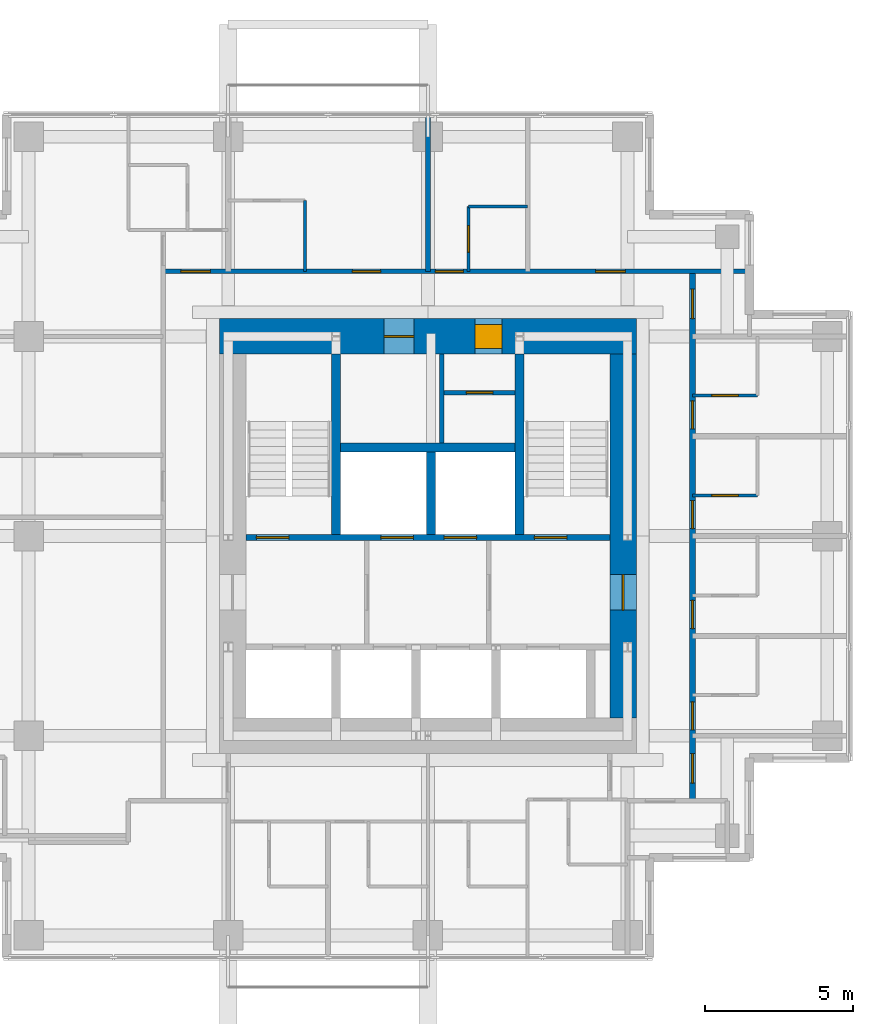
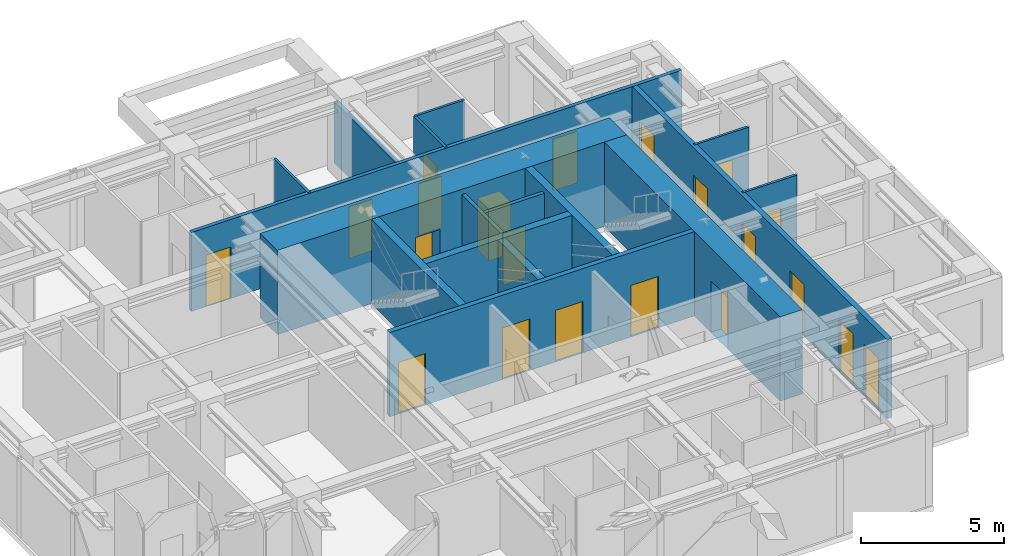
# One storey, part 6 of 8: 21 doors, 17 walls, 21 openings.
"""IFC4 building model written with IfcOpenShell, lengths in metres."""

from ifc_helpers import new_model, si_unit, direction, frame, frame_2d, origin, place, context, subcontext, project, spatial, rectangle, extrude, material, layer, layer_set, type_object, element, fill, save


model = new_model("IFC4")

# Units and contexts
model_context = context("Model", 3, precision=1e-05, world=origin(), true_north=direction((0.0, 1.0)))
body_context = subcontext(model_context, "Body", "Model", "MODEL_VIEW")
ifc_project = project(units=[si_unit("LENGTHUNIT", "METRE"), si_unit("AREAUNIT", "SQUARE_METRE"), si_unit("VOLUMEUNIT", "CUBIC_METRE"), si_unit("PLANEANGLEUNIT", "RADIAN"), si_unit("MASSUNIT", "GRAM", prefix="KILO")], contexts=[model_context])

# Site, building, storey
site_placement = place(None, origin())
site = spatial("IfcSite", under=ifc_project, at=site_placement, CompositionType="ELEMENT")
building_placement = place(site_placement, origin())
building = spatial("IfcBuilding", under=site, at=building_placement, Name="Nyansa Garden Tower", CompositionType="ELEMENT")
storey_placement = place(building_placement, frame((0.0, 0.0, 243.89990234375)))
storey = spatial("IfcBuildingStorey", under=building, at=storey_placement, Name="L66", CompositionType="ELEMENT", Elevation=243.89990234375)

# Wall
ifc_material_1 = material(Name="Dense blockwork, plastered both sides, 55 dB", Category="masonry")
ifc_layer_1 = layer(ifc_material_1, 0.175048828125)
ifc_layer_set_1 = layer_set([ifc_layer_1], Name="Acoustic party wall PW175")
wall_type_1 = type_object("IfcWallType", Name="Acoustic party wall PW175", PredefinedType="PARTITIONING", material=ifc_layer_set_1)
wall_1_placement = place(storey_placement, frame((20.25, 29.199951171875, 0.0), z_axis=(0.0, 0.0, 1.0), x_axis=(0.0, 1.0, 0.0)))
element("IfcWall", 1, at=wall_1_placement, inside=storey, type_object=wall_type_1, Name="Party wall", PredefinedType="PARTITIONING", context=body_context, shape_type="SweptSolid", body=[
    extrude(rectangle(XDim=5.283935546875, YDim=0.175048828125, at=frame_2d((2.64208984375, 0.0))), origin(), (0.0, 0.0, 1.0), 2.610107421875),
])

# Wall, openings, doors
ifc_material_2 = material(Name="Concrete C70/85", Category="concrete")
ifc_layer_2 = layer(ifc_material_2, 0.199951171875)
ifc_layer_set_2 = layer_set([ifc_layer_2], Name="Core inner wall CI200")
wall_type_2 = type_object("IfcWallType", Name="Core inner wall CI200", PredefinedType="SHEAR", material=ifc_layer_set_2)
wall_2_placement = place(storey_placement, frame((14.10009765625, 20.199951171875, 0.0), z_axis=(0.0, 0.0, 1.0), x_axis=(1.0, 0.0, 0.0)))
wall_2 = element("IfcWall", 2, at=wall_2_placement, inside=storey, type_object=wall_type_2, Name="Core inner wall L66", PredefinedType="SHEAR", context=body_context, shape_type="SweptSolid", body=[
    extrude(rectangle(XDim=12.2998046875, YDim=0.199951171875, at=frame_2d((6.14990234375, 0.0))), origin(), (0.0, 0.0, 1.0), 3.60009765625),
])
opening_1_placement = place(wall_2_placement, frame((4.56005859375, 0.0, 0.0)))
opening_1 = element("IfcOpeningElement", 3, at=opening_1_placement, cuts=wall_2, Name="Opening LD-B", PredefinedType="OPENING", context=body_context, shape_type="SweptSolid", body=[
    extrude(rectangle(XDim=1.10009765625, YDim=2.199951171875, at=frame_2d((0.550048828125, 1.10009765625))), frame((0.0, 0.10986328125, 0.0), z_axis=(0.0, -1.0, 0.0), x_axis=(1.0, 0.0, 0.0)), (0.0, 0.0, 1.0), 0.219970703125),
])
opening_2_placement = place(wall_2_placement, frame((6.699951171875, 0.0, 0.0)))
opening_2 = element("IfcOpeningElement", 4, at=opening_2_placement, cuts=wall_2, Name="Opening LD-B", PredefinedType="OPENING", context=body_context, shape_type="SweptSolid", body=[
    extrude(rectangle(XDim=1.10009765625, YDim=2.199951171875, at=frame_2d((0.550048828125, 1.10009765625))), frame((0.0, 0.10986328125, 0.0), z_axis=(0.0, -1.0, 0.0), x_axis=(1.0, 0.0, 0.0)), (0.0, 0.0, 1.0), 0.219970703125),
])
opening_3_placement = place(wall_2_placement, frame((0.35009765625, 0.0, 0.0)))
opening_3 = element("IfcOpeningElement", 5, at=opening_3_placement, cuts=wall_2, Name="Opening D05", PredefinedType="OPENING", context=body_context, shape_type="SweptSolid", body=[
    extrude(rectangle(XDim=1.10009765625, YDim=2.199951171875, at=frame_2d((0.550048828125, 1.10009765625))), frame((0.0, 0.10986328125, 0.0), z_axis=(0.0, -1.0, 0.0), x_axis=(1.0, 0.0, 0.0)), (0.0, 0.0, 1.0), 0.219970703125),
])
opening_4_placement = place(wall_2_placement, frame((9.75, 0.0, 0.0)))
opening_4 = element("IfcOpeningElement", 6, at=opening_4_placement, cuts=wall_2, Name="Opening D05", PredefinedType="OPENING", context=body_context, shape_type="SweptSolid", body=[
    extrude(rectangle(XDim=1.10009765625, YDim=2.199951171875, at=frame_2d((0.550048828125, 1.10009765625))), frame((0.0, 0.10986328125, 0.0), z_axis=(0.0, -1.0, 0.0), x_axis=(1.0, 0.0, 0.0)), (0.0, 0.0, 1.0), 0.219970703125),
])
ifc_material_3 = material(Name="Stainless steel centre-opening landing door of the high-rise lift, E 120", Category="steel")
door_type_1 = type_object("IfcDoorType", Name="Lift landing door LD-B 1100x2200", OperationType="DOUBLE_DOOR_SLIDING", PredefinedType="DOOR", material=ifc_material_3)
door_1_placement = place(opening_1_placement, origin())
door_1 = element("IfcDoor", 7, at=door_1_placement, inside=storey, type_object=door_type_1, Name="Landing door B3", OperationType="DOUBLE_DOOR_SLIDING", OverallHeight=2.199951171875, OverallWidth=1.10009765625, PredefinedType="DOOR", context=body_context, shape_type="SweptSolid", body=[
    extrude(rectangle(XDim=1.10009765625, YDim=2.199951171875, at=frame_2d((0.550048828125, 1.10009765625))), frame((0.0, 0.02490234375, 0.0), z_axis=(0.0, -1.0, 0.0), x_axis=(1.0, 0.0, 0.0)), (0.0, 0.0, 1.0), 0.050048828125),
])
fill(opening_1, door_1)
door_2_placement = place(opening_2_placement, origin())
door_2 = element("IfcDoor", 8, at=door_2_placement, inside=storey, type_object=door_type_1, Name="Landing door B4", OperationType="DOUBLE_DOOR_SLIDING", OverallHeight=2.199951171875, OverallWidth=1.10009765625, PredefinedType="DOOR", context=body_context, shape_type="SweptSolid", body=[
    extrude(rectangle(XDim=1.10009765625, YDim=2.199951171875, at=frame_2d((0.550048828125, 1.10009765625))), frame((0.0, 0.02490234375, 0.0), z_axis=(0.0, -1.0, 0.0), x_axis=(1.0, 0.0, 0.0)), (0.0, 0.0, 1.0), 0.050048828125),
])
fill(opening_2, door_2)
ifc_material_4 = material(Name="Steel door, 120 minute fire resisting", Category="steel")
door_type_2 = type_object("IfcDoorType", Name="Stair door D05 1100x2200", OperationType="SINGLE_SWING_LEFT", PredefinedType="DOOR", material=ifc_material_4)
door_3_placement = place(opening_3_placement, origin())
door_3 = element("IfcDoor", 9, at=door_3_placement, inside=storey, type_object=door_type_2, Name="Stair S1 door", OperationType="SINGLE_SWING_LEFT", OverallHeight=2.199951171875, OverallWidth=1.10009765625, PredefinedType="DOOR", context=body_context, shape_type="SweptSolid", body=[
    extrude(rectangle(XDim=1.10009765625, YDim=2.199951171875, at=frame_2d((0.550048828125, 1.10009765625))), frame((0.0, 0.02490234375, 0.0), z_axis=(0.0, -1.0, 0.0), x_axis=(1.0, 0.0, 0.0)), (0.0, 0.0, 1.0), 0.050048828125),
])
fill(opening_3, door_3)
door_4_placement = place(opening_4_placement, origin())
door_4 = element("IfcDoor", 10, at=door_4_placement, inside=storey, type_object=door_type_2, Name="Stair S2 door", OperationType="SINGLE_SWING_LEFT", OverallHeight=2.199951171875, OverallWidth=1.10009765625, PredefinedType="DOOR", context=body_context, shape_type="SweptSolid", body=[
    extrude(rectangle(XDim=1.10009765625, YDim=2.199951171875, at=frame_2d((0.550048828125, 1.10009765625))), frame((0.0, 0.02490234375, 0.0), z_axis=(0.0, -1.0, 0.0), x_axis=(1.0, 0.0, 0.0)), (0.0, 0.0, 1.0), 0.050048828125),
])
fill(opening_4, door_4)

# Walls
ifc_material_5 = material(Name="Concrete C70/85", Category="concrete")
ifc_layer_3 = layer(ifc_material_5, 0.300048828125)
ifc_layer_set_3 = layer_set([ifc_layer_3], Name="Core inner wall CI300")
wall_type_3 = type_object("IfcWallType", Name="Core inner wall CI300", PredefinedType="SHEAR", material=ifc_layer_set_3)
for number, where, z_axis, x_axis, name in (
    (11, (17.14990234375, 20.300048828125, 0.0), (0.0, 0.0, 1.0), (0.0, 1.0, 0.0), "Core inner wall L66"),
    (12, (23.35009765625, 20.300048828125, 0.0), (0.0, 0.0, 1.0), (0.0, 1.0, 0.0), "Core inner wall L66"),
):
    element("IfcWall", number, at=place(storey_placement, frame(where, z_axis=z_axis, x_axis=x_axis)), inside=storey, type_object=wall_type_3, Name=name, PredefinedType="SHEAR", context=body_context, shape_type="SweptSolid", body=[
        extrude(rectangle(XDim=6.099853515625, YDim=0.300048828125, at=frame_2d((3.0498046875, 0.0))), origin(), (0.0, 0.0, 1.0), 3.60009765625),
    ])
wall_3_placement = place(storey_placement, frame((20.35009765625, 20.300048828125, 0.0), z_axis=(0.0, 0.0, 1.0), x_axis=(0.0, 1.0, 0.0)))
element("IfcWall", 13, at=wall_3_placement, inside=storey, type_object=wall_type_3, Name="Core inner wall L66", PredefinedType="SHEAR", context=body_context, shape_type="SweptSolid", body=[
    extrude(rectangle(XDim=2.800048828125, YDim=0.300048828125, at=frame_2d((1.39990234375, 0.0))), origin(), (0.0, 0.0, 1.0), 3.60009765625),
])
wall_4_placement = place(storey_placement, frame((17.300048828125, 23.25, 0.0), z_axis=(0.0, 0.0, 1.0), x_axis=(1.0, 0.0, 0.0)))
element("IfcWall", 14, at=wall_4_placement, inside=storey, type_object=wall_type_3, Name="Core inner wall L66", PredefinedType="SHEAR", context=body_context, shape_type="SweptSolid", body=[
    extrude(rectangle(XDim=5.89990234375, YDim=0.300048828125, at=frame_2d((2.949951171875, 0.0))), origin(), (0.0, 0.0, 1.0), 3.60009765625),
])

# Wall, openings, doors
ifc_material_6 = material(Name="Concrete C80/95", Category="concrete")
ifc_layer_4 = layer(ifc_material_6, 1.199951171875)
ifc_layer_set_4 = layer_set([ifc_layer_4], Name="Core wall CW1200")
wall_type_4 = type_object("IfcWallType", Name="Core wall CW1200", PredefinedType="SHEAR", material=ifc_layer_set_4)
wall_5_placement = place(storey_placement, frame((27.300048828125, 27.0, 0.0), z_axis=(0.0, 0.0, 1.0), x_axis=(-1.0, 0.0, 0.0)))
wall_5 = element("IfcWall", 15, at=wall_5_placement, inside=storey, type_object=wall_type_4, Name="Core wall N L66", PredefinedType="SHEAR", context=body_context, shape_type="SweptSolid", body=[
    extrude(rectangle(XDim=14.10009765625, YDim=1.199951171875, at=frame_2d((7.050048828125, 0.0))), origin(), (0.0, 0.0, 1.0), 3.60009765625),
])
opening_5_placement = place(wall_5_placement, frame((4.550048828125, 0.0, 0.0)))
opening_5 = element("IfcOpeningElement", 16, at=opening_5_placement, cuts=wall_5, Name="Opening D15", PredefinedType="OPENING", context=body_context, shape_type="SweptSolid", body=[
    extrude(rectangle(XDim=0.89990234375, YDim=2.199951171875, at=frame_2d((0.449951171875, 1.10009765625))), frame((0.0, 0.60986328125, 0.0), z_axis=(0.0, -1.0, 0.0), x_axis=(1.0, 0.0, 0.0)), (0.0, 0.0, 1.0), 1.219970703125),
])
opening_6_placement = place(wall_5_placement, frame((7.52490234375, 0.0, 0.0)))
opening_6 = element("IfcOpeningElement", 17, at=opening_6_placement, cuts=wall_5, Name="Opening D07", PredefinedType="OPENING", context=body_context, shape_type="SweptSolid", body=[
    extrude(rectangle(XDim=1.0, YDim=2.199951171875, at=frame_2d((0.5, 1.10009765625))), frame((0.0, 0.60986328125, 0.0), z_axis=(0.0, -1.0, 0.0), x_axis=(1.0, 0.0, 0.0)), (0.0, 0.0, 1.0), 1.219970703125),
])
ifc_material_7 = material(Name="Timber flush door, 60 minute fire resisting, self-closing", Category="wood")
door_type_3 = type_object("IfcDoorType", Name="Core room door D15 900x2200", OperationType="SINGLE_SWING_LEFT", PredefinedType="DOOR", material=ifc_material_7)
door_5_placement = place(opening_5_placement, origin())
door_5 = element("IfcDoor", 18, at=door_5_placement, inside=storey, type_object=door_type_3, Name="Core room door", OperationType="SINGLE_SWING_LEFT", OverallHeight=2.199951171875, OverallWidth=0.89990234375, PredefinedType="DOOR", context=body_context, shape_type="SweptSolid", body=[
    extrude(rectangle(XDim=0.89990234375, YDim=2.199951171875, at=frame_2d((0.449951171875, 1.10009765625))), frame((0.0, 0.39990234375, 0.0), z_axis=(0.0, -1.0, 0.0), x_axis=(1.0, 0.0, 0.0)), (0.0, 0.0, 1.0), 0.800048828125),
])
fill(opening_5, door_5)
ifc_material_8 = material(Name="Steel door, 120 minute fire resisting", Category="steel")
door_type_4 = type_object("IfcDoorType", Name="Riser door D07 1000x2200", OperationType="SINGLE_SWING_LEFT", PredefinedType="DOOR", material=ifc_material_8)
door_6_placement = place(opening_6_placement, origin())
door_6 = element("IfcDoor", 19, at=door_6_placement, inside=storey, type_object=door_type_4, Name="Riser and refuse room door", OperationType="SINGLE_SWING_LEFT", OverallHeight=2.199951171875, OverallWidth=1.0, PredefinedType="DOOR", context=body_context, shape_type="SweptSolid", body=[
    extrude(rectangle(XDim=1.0, YDim=2.199951171875, at=frame_2d((0.5, 1.10009765625))), frame((0.0, 0.02490234375, 0.0), z_axis=(0.0, -1.0, 0.0), x_axis=(1.0, 0.0, 0.0)), (0.0, 0.0, 1.0), 0.050048828125),
])
fill(opening_6, door_6)

# Wall, opening, door
ifc_material_9 = material(Name="Concrete C80/95", Category="concrete")
ifc_layer_5 = layer(ifc_material_9, 0.89990234375)
ifc_layer_set_5 = layer_set([ifc_layer_5], Name="Core wall CW900")
wall_type_5 = type_object("IfcWallType", Name="Core wall CW900", PredefinedType="SHEAR", material=ifc_layer_set_5)
wall_6_placement = place(storey_placement, frame((26.85009765625, 14.10009765625, 0.0), z_axis=(0.0, 0.0, 1.0), x_axis=(0.0, 1.0, 0.0)))
wall_6 = element("IfcWall", 20, at=wall_6_placement, inside=storey, type_object=wall_type_5, Name="Core wall E L66", PredefinedType="SHEAR", context=body_context, shape_type="SweptSolid", body=[
    extrude(rectangle(XDim=12.2998046875, YDim=0.89990234375, at=frame_2d((6.14990234375, 0.0))), origin(), (0.0, 0.0, 1.0), 3.60009765625),
])
opening_7_placement = place(wall_6_placement, frame((3.64990234375, 0.0, 0.0)))
opening_7 = element("IfcOpeningElement", 21, at=opening_7_placement, cuts=wall_6, Name="Opening D06", PredefinedType="OPENING", context=body_context, shape_type="SweptSolid", body=[
    extrude(rectangle(XDim=1.199951171875, YDim=2.199951171875, at=frame_2d((0.60009765625, 1.10009765625))), frame((0.0, 0.4599609375, 0.0), z_axis=(0.0, -1.0, 0.0), x_axis=(1.0, 0.0, 0.0)), (0.0, 0.0, 1.0), 0.919921875),
])
ifc_material_10 = material(Name="Steel door, 120 minute fire resisting", Category="steel")
door_type_5 = type_object("IfcDoorType", Name="Lobby door D06 1200x2200", OperationType="DOUBLE_DOOR_SINGLE_SWING", PredefinedType="DOOR", material=ifc_material_10)
door_7_placement = place(opening_7_placement, origin())
door_7 = element("IfcDoor", 22, at=door_7_placement, inside=storey, type_object=door_type_5, Name="Lift lobby door east", OperationType="DOUBLE_DOOR_SINGLE_SWING", OverallHeight=2.199951171875, OverallWidth=1.199951171875, PredefinedType="DOOR", context=body_context, shape_type="SweptSolid", body=[
    extrude(rectangle(XDim=1.199951171875, YDim=2.199951171875, at=frame_2d((0.60009765625, 1.10009765625))), frame((0.0, 0.02490234375, 0.0), z_axis=(0.0, -1.0, 0.0), x_axis=(1.0, 0.0, 0.0)), (0.0, 0.0, 1.0), 0.050048828125),
])
fill(opening_7, door_7)

# Wall, openings, doors
ifc_material_11 = material(Name="Concrete blockwork, plastered, 60 minute fire resisting", Category="masonry")
ifc_layer_6 = layer(ifc_material_11, 0.199951171875)
ifc_layer_set_6 = layer_set([ifc_layer_6], Name="Corridor wall FW200")
wall_type_6 = type_object("IfcWallType", Name="Corridor wall FW200", PredefinedType="PARTITIONING", material=ifc_layer_set_6)
wall_7_placement = place(storey_placement, frame((29.199951171875, 11.300048828125, 0.0), z_axis=(0.0, 0.0, 1.0), x_axis=(0.0, 1.0, 0.0)))
wall_7 = element("IfcWall", 23, at=wall_7_placement, inside=storey, type_object=wall_type_6, Name="Corridor wall", PredefinedType="PARTITIONING", context=body_context, shape_type="SweptSolid", body=[
    extrude(rectangle(XDim=17.89990234375, YDim=0.199951171875, at=frame_2d((8.949951171875, 0.0))), origin(), (0.0, 0.0, 1.0), 3.375),
])
opening_8_placement = place(wall_7_placement, frame((0.60009765625, 0.0, 0.0)))
opening_8 = element("IfcOpeningElement", 24, at=opening_8_placement, cuts=wall_7, Name="Opening D03", PredefinedType="OPENING", context=body_context, shape_type="SweptSolid", body=[
    extrude(rectangle(XDim=1.0, YDim=2.199951171875, at=frame_2d((0.5, 1.10009765625))), frame((0.0, 0.10986328125, 0.0), z_axis=(0.0, -1.0, 0.0), x_axis=(1.0, 0.0, 0.0)), (0.0, 0.0, 1.0), 0.219970703125),
])
opening_9_placement = place(wall_7_placement, frame((2.39990234375, 0.0, 0.0)))
opening_9 = element("IfcOpeningElement", 25, at=opening_9_placement, cuts=wall_7, Name="Opening D14", PredefinedType="OPENING", context=body_context, shape_type="SweptSolid", body=[
    extrude(rectangle(XDim=0.949951171875, YDim=2.199951171875, at=frame_2d((0.47509765625, 1.10009765625))), frame((0.0, 0.10986328125, 0.0), z_axis=(0.0, -1.0, 0.0), x_axis=(1.0, 0.0, 0.0)), (0.0, 0.0, 1.0), 0.219970703125),
])
opening_10_placement = place(wall_7_placement, frame((5.824951171875, 0.0, 0.0)))
opening_10 = element("IfcOpeningElement", 26, at=opening_10_placement, cuts=wall_7, Name="Opening D14", PredefinedType="OPENING", context=body_context, shape_type="SweptSolid", body=[
    extrude(rectangle(XDim=0.949951171875, YDim=2.199951171875, at=frame_2d((0.47509765625, 1.10009765625))), frame((0.0, 0.10986328125, 0.0), z_axis=(0.0, -1.0, 0.0), x_axis=(1.0, 0.0, 0.0)), (0.0, 0.0, 1.0), 0.219970703125),
])
opening_11_placement = place(wall_7_placement, frame((9.199951171875, 0.0, 0.0)))
opening_11 = element("IfcOpeningElement", 27, at=opening_11_placement, cuts=wall_7, Name="Opening D14", PredefinedType="OPENING", context=body_context, shape_type="SweptSolid", body=[
    extrude(rectangle(XDim=0.949951171875, YDim=2.199951171875, at=frame_2d((0.47509765625, 1.10009765625))), frame((0.0, 0.10986328125, 0.0), z_axis=(0.0, -1.0, 0.0), x_axis=(1.0, 0.0, 0.0)), (0.0, 0.0, 1.0), 0.219970703125),
])
opening_12_placement = place(wall_7_placement, frame((12.574951171875, 0.0, 0.0)))
opening_12 = element("IfcOpeningElement", 28, at=opening_12_placement, cuts=wall_7, Name="Opening D14", PredefinedType="OPENING", context=body_context, shape_type="SweptSolid", body=[
    extrude(rectangle(XDim=0.949951171875, YDim=2.199951171875, at=frame_2d((0.47509765625, 1.10009765625))), frame((0.0, 0.10986328125, 0.0), z_axis=(0.0, -1.0, 0.0), x_axis=(1.0, 0.0, 0.0)), (0.0, 0.0, 1.0), 0.219970703125),
])
opening_13_placement = place(wall_7_placement, frame((16.300048828125, 0.0, 0.0)))
opening_13 = element("IfcOpeningElement", 29, at=opening_13_placement, cuts=wall_7, Name="Opening D03", PredefinedType="OPENING", context=body_context, shape_type="SweptSolid", body=[
    extrude(rectangle(XDim=1.0, YDim=2.199951171875, at=frame_2d((0.5, 1.10009765625))), frame((0.0, 0.10986328125, 0.0), z_axis=(0.0, -1.0, 0.0), x_axis=(1.0, 0.0, 0.0)), (0.0, 0.0, 1.0), 0.219970703125),
])
ifc_material_12 = material(Name="Timber flush door, 60 minute fire resisting", Category="wood")
door_type_6 = type_object("IfcDoorType", Name="Cluster entrance door D03 1000x2200", OperationType="SINGLE_SWING_LEFT", PredefinedType="DOOR", material=ifc_material_12)
door_8_placement = place(opening_8_placement, origin())
door_8 = element("IfcDoor", 30, at=door_8_placement, inside=storey, type_object=door_type_6, Name="Door L66-029", OperationType="SINGLE_SWING_LEFT", OverallHeight=2.199951171875, OverallWidth=1.0, PredefinedType="DOOR", context=body_context, shape_type="SweptSolid", body=[
    extrude(rectangle(XDim=1.0, YDim=2.199951171875, at=frame_2d((0.5, 1.10009765625))), frame((0.0, 0.02490234375, 0.0), z_axis=(0.0, -1.0, 0.0), x_axis=(1.0, 0.0, 0.0)), (0.0, 0.0, 1.0), 0.050048828125),
])
fill(opening_8, door_8)
door_9_placement = place(opening_13_placement, origin())
door_9 = element("IfcDoor", 31, at=door_9_placement, inside=storey, type_object=door_type_6, Name="Door L66-038", OperationType="SINGLE_SWING_LEFT", OverallHeight=2.199951171875, OverallWidth=1.0, PredefinedType="DOOR", context=body_context, shape_type="SweptSolid", body=[
    extrude(rectangle(XDim=1.0, YDim=2.199951171875, at=frame_2d((0.5, 1.10009765625))), frame((0.0, 0.02490234375, 0.0), z_axis=(0.0, -1.0, 0.0), x_axis=(1.0, 0.0, 0.0)), (0.0, 0.0, 1.0), 0.050048828125),
])
fill(opening_13, door_9)
ifc_material_13 = material(Name="Timber flush door, 60 minute fire resisting, self-closing", Category="wood")
door_type_7 = type_object("IfcDoorType", Name="Studio entrance door D14 950x2200", OperationType="SINGLE_SWING_LEFT", PredefinedType="DOOR", material=ifc_material_13)
door_10_placement = place(opening_9_placement, origin())
door_10 = element("IfcDoor", 32, at=door_10_placement, inside=storey, type_object=door_type_7, Name="Door L66-030", OperationType="SINGLE_SWING_LEFT", OverallHeight=2.199951171875, OverallWidth=0.949951171875, PredefinedType="DOOR", context=body_context, shape_type="SweptSolid", body=[
    extrude(rectangle(XDim=0.949951171875, YDim=2.199951171875, at=frame_2d((0.47509765625, 1.10009765625))), frame((0.0, 0.02490234375, 0.0), z_axis=(0.0, -1.0, 0.0), x_axis=(1.0, 0.0, 0.0)), (0.0, 0.0, 1.0), 0.050048828125),
])
fill(opening_9, door_10)
door_11_placement = place(opening_10_placement, origin())
door_11 = element("IfcDoor", 33, at=door_11_placement, inside=storey, type_object=door_type_7, Name="Door L66-032", OperationType="SINGLE_SWING_LEFT", OverallHeight=2.199951171875, OverallWidth=0.949951171875, PredefinedType="DOOR", context=body_context, shape_type="SweptSolid", body=[
    extrude(rectangle(XDim=0.949951171875, YDim=2.199951171875, at=frame_2d((0.47509765625, 1.10009765625))), frame((0.0, 0.02490234375, 0.0), z_axis=(0.0, -1.0, 0.0), x_axis=(1.0, 0.0, 0.0)), (0.0, 0.0, 1.0), 0.050048828125),
])
fill(opening_10, door_11)
door_12_placement = place(opening_11_placement, origin())
door_12 = element("IfcDoor", 34, at=door_12_placement, inside=storey, type_object=door_type_7, Name="Door L66-034", OperationType="SINGLE_SWING_LEFT", OverallHeight=2.199951171875, OverallWidth=0.949951171875, PredefinedType="DOOR", context=body_context, shape_type="SweptSolid", body=[
    extrude(rectangle(XDim=0.949951171875, YDim=2.199951171875, at=frame_2d((0.47509765625, 1.10009765625))), frame((0.0, 0.02490234375, 0.0), z_axis=(0.0, -1.0, 0.0), x_axis=(1.0, 0.0, 0.0)), (0.0, 0.0, 1.0), 0.050048828125),
])
fill(opening_11, door_12)
door_13_placement = place(opening_12_placement, origin())
door_13 = element("IfcDoor", 35, at=door_13_placement, inside=storey, type_object=door_type_7, Name="Door L66-036", OperationType="SINGLE_SWING_LEFT", OverallHeight=2.199951171875, OverallWidth=0.949951171875, PredefinedType="DOOR", context=body_context, shape_type="SweptSolid", body=[
    extrude(rectangle(XDim=0.949951171875, YDim=2.199951171875, at=frame_2d((0.47509765625, 1.10009765625))), frame((0.0, 0.02490234375, 0.0), z_axis=(0.0, -1.0, 0.0), x_axis=(1.0, 0.0, 0.0)), (0.0, 0.0, 1.0), 0.050048828125),
])
fill(opening_12, door_13)

# Wall
ifc_material_14 = material(Name="Blockwork, plastered both sides", Category="masonry")
ifc_layer_7 = layer(ifc_material_14, 0.14990234375)
ifc_layer_set_7 = layer_set([ifc_layer_7], Name="Partition PW150")
wall_type_7 = type_object("IfcWallType", Name="Partition PW150", PredefinedType="PARTITIONING", material=ifc_layer_set_7)
wall_8_placement = place(storey_placement, frame((20.72509765625, 23.39990234375, 0.0), z_axis=(0.0, 0.0, 1.0), x_axis=(0.0, 1.0, 0.0)))
element("IfcWall", 36, at=wall_8_placement, inside=storey, type_object=wall_type_7, Name="Partition", PredefinedType="PARTITIONING", context=body_context, shape_type="SweptSolid", body=[
    extrude(rectangle(XDim=3.0, YDim=0.14990234375, at=frame_2d((1.5, 0.0))), origin(), (0.0, 0.0, 1.0), 3.375),
])

# Wall, opening, door
wall_9_placement = place(storey_placement, frame((20.800048828125, 25.10009765625, 0.0), z_axis=(0.0, 0.0, 1.0), x_axis=(1.0, 0.0, 0.0)))
wall_9 = element("IfcWall", 37, at=wall_9_placement, inside=storey, type_object=wall_type_7, Name="Partition", PredefinedType="PARTITIONING", context=body_context, shape_type="SweptSolid", body=[
    extrude(rectangle(XDim=2.39990234375, YDim=0.14990234375, at=frame_2d((1.199951171875, 0.0))), origin(), (0.0, 0.0, 1.0), 3.375),
])
opening_14_placement = place(wall_9_placement, frame((0.75, 0.0, 0.0)))
opening_14 = element("IfcOpeningElement", 38, at=opening_14_placement, cuts=wall_9, Name="Opening D02", PredefinedType="OPENING", context=body_context, shape_type="SweptSolid", body=[
    extrude(rectangle(XDim=0.89990234375, YDim=2.199951171875, at=frame_2d((0.449951171875, 1.10009765625))), frame((0.0, 0.0849609375, 0.0), z_axis=(0.0, -1.0, 0.0), x_axis=(1.0, 0.0, 0.0)), (0.0, 0.0, 1.0), 0.169921875),
])
ifc_material_15 = material(Name="Timber flush door", Category="wood")
door_type_8 = type_object("IfcDoorType", Name="En-suite door D02 900x2200", OperationType="SINGLE_SWING_RIGHT", PredefinedType="DOOR", material=ifc_material_15)
door_14_placement = place(opening_14_placement, origin())
door_14 = element("IfcDoor", 39, at=door_14_placement, inside=storey, type_object=door_type_8, Name="Staff WC door", OperationType="SINGLE_SWING_RIGHT", OverallHeight=2.199951171875, OverallWidth=0.89990234375, PredefinedType="DOOR", context=body_context, shape_type="SweptSolid", body=[
    extrude(rectangle(XDim=0.89990234375, YDim=2.199951171875, at=frame_2d((0.449951171875, 1.10009765625))), frame((0.0, 0.02490234375, 0.0), z_axis=(0.0, -1.0, 0.0), x_axis=(1.0, 0.0, 0.0)), (0.0, 0.0, 1.0), 0.050048828125),
])
fill(opening_14, door_14)

# Wall, openings, doors
wall_10_placement = place(storey_placement, frame((11.300048828125, 29.199951171875, 0.0), z_axis=(0.0, 0.0, 1.0), x_axis=(1.0, 0.0, 0.0)))
wall_10 = element("IfcWall", 40, at=wall_10_placement, inside=storey, type_object=wall_type_7, Name="Partition", PredefinedType="PARTITIONING", context=body_context, shape_type="SweptSolid", body=[
    extrude(rectangle(XDim=19.808837890625, YDim=0.14990234375, at=frame_2d((9.904296875, 0.0))), origin(), (0.0, 0.0, 1.0), 3.375),
])
opening_15_placement = place(wall_10_placement, frame((14.625, 0.0, 0.0)))
opening_15 = element("IfcOpeningElement", 41, at=opening_15_placement, cuts=wall_10, Name="Opening D03", PredefinedType="OPENING", context=body_context, shape_type="SweptSolid", body=[
    extrude(rectangle(XDim=1.0, YDim=2.199951171875, at=frame_2d((0.5, 1.10009765625))), frame((0.0, 0.0849609375, 0.0), z_axis=(0.0, -1.0, 0.0), x_axis=(1.0, 0.0, 0.0)), (0.0, 0.0, 1.0), 0.169921875),
])
opening_16_placement = place(wall_10_placement, frame((6.39990234375, 0.0, 0.0)))
opening_16 = element("IfcOpeningElement", 42, at=opening_16_placement, cuts=wall_10, Name="Opening D14", PredefinedType="OPENING", context=body_context, shape_type="SweptSolid", body=[
    extrude(rectangle(XDim=0.949951171875, YDim=2.199951171875, at=frame_2d((0.47509765625, 1.10009765625))), frame((0.0, 0.0849609375, 0.0), z_axis=(0.0, -1.0, 0.0), x_axis=(1.0, 0.0, 0.0)), (0.0, 0.0, 1.0), 0.169921875),
])
opening_17_placement = place(wall_10_placement, frame((9.199951171875, 0.0, 0.0)))
opening_17 = element("IfcOpeningElement", 43, at=opening_17_placement, cuts=wall_10, Name="Opening D14", PredefinedType="OPENING", context=body_context, shape_type="SweptSolid", body=[
    extrude(rectangle(XDim=0.949951171875, YDim=2.199951171875, at=frame_2d((0.47509765625, 1.10009765625))), frame((0.0, 0.0849609375, 0.0), z_axis=(0.0, -1.0, 0.0), x_axis=(1.0, 0.0, 0.0)), (0.0, 0.0, 1.0), 0.169921875),
])
opening_18_placement = place(wall_10_placement, frame((0.60009765625, 0.0, 0.0)))
opening_18 = element("IfcOpeningElement", 44, at=opening_18_placement, cuts=wall_10, Name="Opening D03", PredefinedType="OPENING", context=body_context, shape_type="SweptSolid", body=[
    extrude(rectangle(XDim=1.0, YDim=2.199951171875, at=frame_2d((0.5, 1.10009765625))), frame((0.0, 0.0849609375, 0.0), z_axis=(0.0, -1.0, 0.0), x_axis=(1.0, 0.0, 0.0)), (0.0, 0.0, 1.0), 0.169921875),
])
door_15_placement = place(opening_15_placement, origin())
door_15 = element("IfcDoor", 45, at=door_15_placement, inside=storey, type_object=door_type_6, Name="Door L66-039", OperationType="SINGLE_SWING_LEFT", OverallHeight=2.199951171875, OverallWidth=1.0, PredefinedType="DOOR", context=body_context, shape_type="SweptSolid", body=[
    extrude(rectangle(XDim=1.0, YDim=2.199951171875, at=frame_2d((0.5, 1.10009765625))), frame((0.0, 0.02490234375, 0.0), z_axis=(0.0, -1.0, 0.0), x_axis=(1.0, 0.0, 0.0)), (0.0, 0.0, 1.0), 0.050048828125),
])
fill(opening_15, door_15)
door_16_placement = place(opening_18_placement, origin())
door_16 = element("IfcDoor", 46, at=door_16_placement, inside=storey, type_object=door_type_6, Name="Door L66-046", OperationType="SINGLE_SWING_LEFT", OverallHeight=2.199951171875, OverallWidth=1.0, PredefinedType="DOOR", context=body_context, shape_type="SweptSolid", body=[
    extrude(rectangle(XDim=1.0, YDim=2.199951171875, at=frame_2d((0.5, 1.10009765625))), frame((0.0, 0.02490234375, 0.0), z_axis=(0.0, -1.0, 0.0), x_axis=(1.0, 0.0, 0.0)), (0.0, 0.0, 1.0), 0.050048828125),
])
fill(opening_18, door_16)
door_17_placement = place(opening_16_placement, origin())
door_17 = element("IfcDoor", 47, at=door_17_placement, inside=storey, type_object=door_type_7, Name="Door L66-040", OperationType="SINGLE_SWING_LEFT", OverallHeight=2.199951171875, OverallWidth=0.949951171875, PredefinedType="DOOR", context=body_context, shape_type="SweptSolid", body=[
    extrude(rectangle(XDim=0.949951171875, YDim=2.199951171875, at=frame_2d((0.47509765625, 1.10009765625))), frame((0.0, 0.02490234375, 0.0), z_axis=(0.0, -1.0, 0.0), x_axis=(1.0, 0.0, 0.0)), (0.0, 0.0, 1.0), 0.050048828125),
])
fill(opening_16, door_17)
door_18_placement = place(opening_17_placement, origin())
door_18 = element("IfcDoor", 48, at=door_18_placement, inside=storey, type_object=door_type_7, Name="Door L66-044", OperationType="SINGLE_SWING_LEFT", OverallHeight=2.199951171875, OverallWidth=0.949951171875, PredefinedType="DOOR", context=body_context, shape_type="SweptSolid", body=[
    extrude(rectangle(XDim=0.949951171875, YDim=2.199951171875, at=frame_2d((0.47509765625, 1.10009765625))), frame((0.0, 0.02490234375, 0.0), z_axis=(0.0, -1.0, 0.0), x_axis=(1.0, 0.0, 0.0)), (0.0, 0.0, 1.0), 0.050048828125),
])
fill(opening_17, door_18)

# Wall
ifc_material_16 = material(Name="Moisture resistant board on steel studs, tiled", Category="steel")
ifc_layer_8 = layer(ifc_material_16, 0.10009765625)
ifc_layer_set_8 = layer_set([ifc_layer_8], Name="Wet wall PW100")
wall_type_8 = type_object("IfcWallType", Name="Wet wall PW100", PredefinedType="PARTITIONING", material=ifc_layer_set_8)
wall_11_placement = place(storey_placement, frame((16.10009765625, 29.199951171875, 0.0), z_axis=(0.0, 0.0, 1.0), x_axis=(0.0, 1.0, 0.0)))
element("IfcWall", 49, at=wall_11_placement, inside=storey, type_object=wall_type_8, Name="Wet wall", PredefinedType="PARTITIONING", context=body_context, shape_type="SweptSolid", body=[
    extrude(rectangle(XDim=2.400146484375, YDim=0.10009765625, at=frame_2d((1.2001953125, 0.0))), origin(), (0.0, 0.0, 1.0), 3.375),
])

# Wall, opening, door
wall_12_placement = place(storey_placement, frame((21.625, 29.199951171875, 0.0), z_axis=(0.0, 0.0, 1.0), x_axis=(0.0, 1.0, 0.0)))
wall_12 = element("IfcWall", 50, at=wall_12_placement, inside=storey, type_object=wall_type_8, Name="Wet wall", PredefinedType="PARTITIONING", context=body_context, shape_type="SweptSolid", body=[
    extrude(rectangle(XDim=2.199951171875, YDim=0.10009765625, at=frame_2d((1.10009765625, 0.0))), origin(), (0.0, 0.0, 1.0), 3.375),
])
opening_19_placement = place(wall_12_placement, frame((0.64990234375, 0.0, 0.0)))
opening_19 = element("IfcOpeningElement", 51, at=opening_19_placement, cuts=wall_12, Name="Opening D02", PredefinedType="OPENING", context=body_context, shape_type="SweptSolid", body=[
    extrude(rectangle(XDim=0.89990234375, YDim=2.199951171875, at=frame_2d((0.449951171875, 1.10009765625))), frame((0.0, 0.06005859375, 0.0), z_axis=(0.0, -1.0, 0.0), x_axis=(1.0, 0.0, 0.0)), (0.0, 0.0, 1.0), 0.1201171875),
])
door_19_placement = place(opening_19_placement, origin())
door_19 = element("IfcDoor", 52, at=door_19_placement, inside=storey, type_object=door_type_8, Name="Door L66-045", OperationType="SINGLE_SWING_RIGHT", OverallHeight=2.199951171875, OverallWidth=0.89990234375, PredefinedType="DOOR", context=body_context, shape_type="SweptSolid", body=[
    extrude(rectangle(XDim=0.89990234375, YDim=2.199951171875, at=frame_2d((0.449951171875, 1.10009765625))), frame((0.0, 0.02490234375, 0.0), z_axis=(0.0, -1.0, 0.0), x_axis=(1.0, 0.0, 0.0)), (0.0, 0.0, 1.0), 0.050048828125),
])
fill(opening_19, door_19)

# Wall
wall_13_placement = place(storey_placement, frame((21.625, 31.39990234375, 0.0), z_axis=(0.0, 0.0, 1.0), x_axis=(1.0, 0.0, 0.0)))
element("IfcWall", 53, at=wall_13_placement, inside=storey, type_object=wall_type_8, Name="Wet wall", PredefinedType="PARTITIONING", context=body_context, shape_type="SweptSolid", body=[
    extrude(rectangle(XDim=2.0, YDim=0.10009765625, at=frame_2d((1.0, 0.0))), origin(), (0.0, 0.0, 1.0), 3.375),
])

# Wall, opening, door
wall_14_placement = place(storey_placement, frame((29.199951171875, 21.625, 0.0), z_axis=(0.0, 0.0, 1.0), x_axis=(1.0, 0.0, 0.0)))
wall_14 = element("IfcWall", 54, at=wall_14_placement, inside=storey, type_object=wall_type_8, Name="Wet wall", PredefinedType="PARTITIONING", context=body_context, shape_type="SweptSolid", body=[
    extrude(rectangle(XDim=2.199951171875, YDim=0.10009765625, at=frame_2d((1.10009765625, 0.0))), origin(), (0.0, 0.0, 1.0), 3.375),
])
opening_20_placement = place(wall_14_placement, frame((0.64990234375, 0.0, 0.0)))
opening_20 = element("IfcOpeningElement", 55, at=opening_20_placement, cuts=wall_14, Name="Opening D02", PredefinedType="OPENING", context=body_context, shape_type="SweptSolid", body=[
    extrude(rectangle(XDim=0.89990234375, YDim=2.199951171875, at=frame_2d((0.449951171875, 1.10009765625))), frame((0.0, 0.06005859375, 0.0), z_axis=(0.0, -1.0, 0.0), x_axis=(1.0, 0.0, 0.0)), (0.0, 0.0, 1.0), 0.1201171875),
])
door_20_placement = place(opening_20_placement, origin())
door_20 = element("IfcDoor", 56, at=door_20_placement, inside=storey, type_object=door_type_8, Name="Door L66-035", OperationType="SINGLE_SWING_RIGHT", OverallHeight=2.199951171875, OverallWidth=0.89990234375, PredefinedType="DOOR", context=body_context, shape_type="SweptSolid", body=[
    extrude(rectangle(XDim=0.89990234375, YDim=2.199951171875, at=frame_2d((0.449951171875, 1.10009765625))), frame((0.0, 0.02490234375, 0.0), z_axis=(0.0, -1.0, 0.0), x_axis=(1.0, 0.0, 0.0)), (0.0, 0.0, 1.0), 0.050048828125),
])
fill(opening_20, door_20)

wall_15_placement = place(storey_placement, frame((29.199951171875, 25.0, 0.0), z_axis=(0.0, 0.0, 1.0), x_axis=(1.0, 0.0, 0.0)))
wall_15 = element("IfcWall", 57, at=wall_15_placement, inside=storey, type_object=wall_type_8, Name="Wet wall", PredefinedType="PARTITIONING", context=body_context, shape_type="SweptSolid", body=[
    extrude(rectangle(XDim=2.199951171875, YDim=0.10009765625, at=frame_2d((1.10009765625, 0.0))), origin(), (0.0, 0.0, 1.0), 3.375),
])
opening_21_placement = place(wall_15_placement, frame((0.64990234375, 0.0, 0.0)))
opening_21 = element("IfcOpeningElement", 58, at=opening_21_placement, cuts=wall_15, Name="Opening D02", PredefinedType="OPENING", context=body_context, shape_type="SweptSolid", body=[
    extrude(rectangle(XDim=0.89990234375, YDim=2.199951171875, at=frame_2d((0.449951171875, 1.10009765625))), frame((0.0, 0.06005859375, 0.0), z_axis=(0.0, -1.0, 0.0), x_axis=(1.0, 0.0, 0.0)), (0.0, 0.0, 1.0), 0.1201171875),
])
door_21_placement = place(opening_21_placement, origin())
door_21 = element("IfcDoor", 59, at=door_21_placement, inside=storey, type_object=door_type_8, Name="Door L66-037", OperationType="SINGLE_SWING_RIGHT", OverallHeight=2.199951171875, OverallWidth=0.89990234375, PredefinedType="DOOR", context=body_context, shape_type="SweptSolid", body=[
    extrude(rectangle(XDim=0.89990234375, YDim=2.199951171875, at=frame_2d((0.449951171875, 1.10009765625))), frame((0.0, 0.02490234375, 0.0), z_axis=(0.0, -1.0, 0.0), x_axis=(1.0, 0.0, 0.0)), (0.0, 0.0, 1.0), 0.050048828125),
])
fill(opening_21, door_21)

save(model, "model.ifc")
